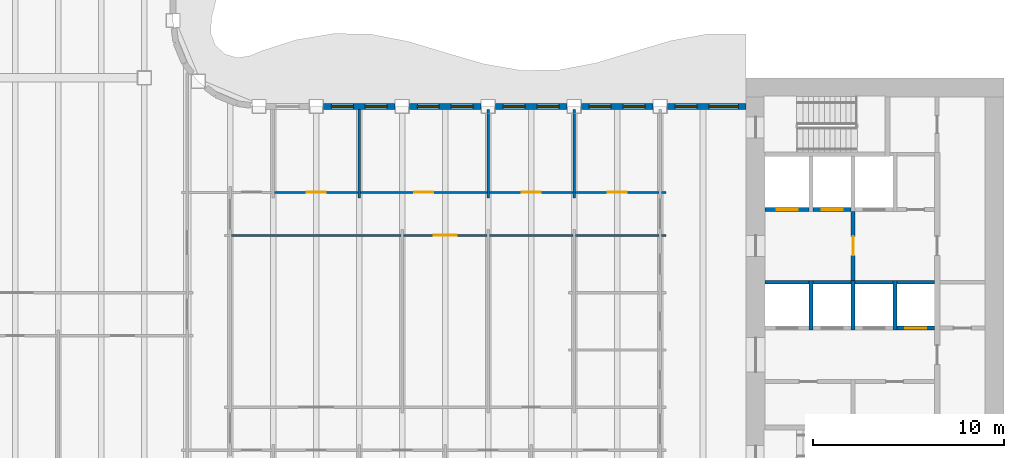
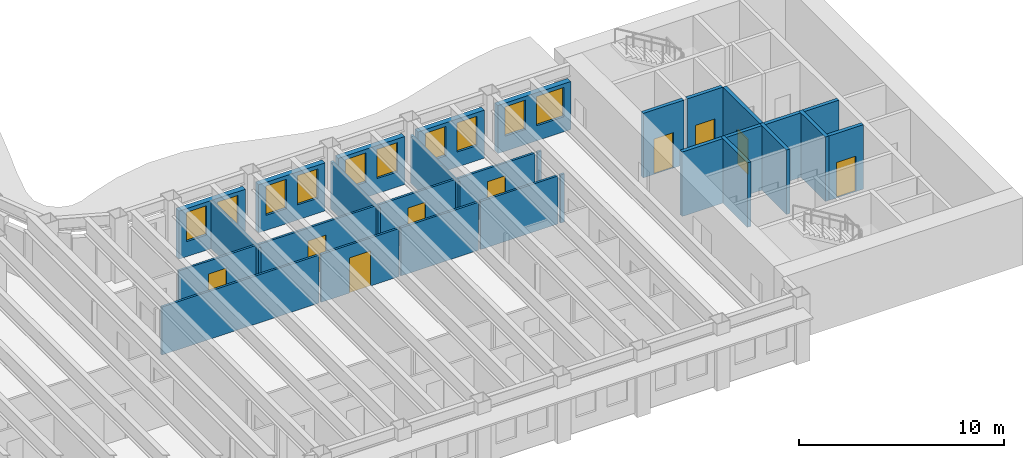
# One storey, part 7 of 17: 29 walls, 10 windows, 9 doors, 19 openings.
"""IFC4 building model written with IfcOpenShell, lengths in metres."""

from ifc_helpers import new_model, si_unit, direction, frame, frame_2d, origin, place, context, subcontext, project, spatial, rectangle, extrude, material, layer, layer_set, type_object, element, fill, save


model = new_model("IFC4")

# Units and contexts
model_context = context("Model", 3, precision=1e-05, world=origin(), true_north=direction((0.0, 1.0)))
body_context = subcontext(model_context, "Body", "Model", "MODEL_VIEW")
ifc_project = project(units=[si_unit("LENGTHUNIT", "METRE"), si_unit("AREAUNIT", "SQUARE_METRE"), si_unit("VOLUMEUNIT", "CUBIC_METRE"), si_unit("PLANEANGLEUNIT", "RADIAN"), si_unit("MASSUNIT", "GRAM", prefix="KILO")], contexts=[model_context])

# Site, building, storey
site_placement = place(None, origin())
site = spatial("IfcSite", under=ifc_project, at=site_placement, CompositionType="ELEMENT")
building_placement = place(site_placement, origin())
building = spatial("IfcBuilding", under=site, at=building_placement, Name="Sennacour Bend Tower", CompositionType="ELEMENT")
storey_placement = place(building_placement, frame((0.0, 0.0, 203.0)))
storey = spatial("IfcBuildingStorey", under=building, at=storey_placement, Name="L46", CompositionType="ELEMENT", Elevation=203.0)

# Walls
ifc_material_1 = material(Name="Plasterboard partition on steel studs", Category="steel")
ifc_layer_1 = layer(ifc_material_1, 0.1201171875, Name="Plasterboard partition on steel studs", Category="steel")
ifc_layer_set_1 = layer_set([ifc_layer_1], Name="Plasterboard partition on steel studs")
wall_type_1 = type_object("IfcWallType", Name="Partition 120", PredefinedType="PARTITIONING", material=ifc_layer_set_1)
for number, where, z_axis, x_axis, name in (
    (1, (33.75, 16.199951171875, 0.0), (0.0, 0.0, 1.0), (0.0, 1.0, 0.0), "P-L46-W032a"),
    (2, (40.5, 16.199951171875, 0.0), (0.0, 0.0, 1.0), (0.0, 1.0, 0.0), "P-L46-W036a"),
    (3, (45.0, 16.199951171875, 0.0), (0.0, 0.0, 1.0), (0.0, 1.0, 0.0), "P-L46-W039a"),
):
    element("IfcWall", number, at=place(storey_placement, frame(where, z_axis=z_axis, x_axis=x_axis)), inside=storey, type_object=wall_type_1, Name=name, PredefinedType="PARTITIONING", context=body_context, shape_type="SweptSolid", body=[
        extrude(rectangle(XDim=4.650146484375, YDim=0.1201171875, at=frame_2d((2.3251953125, 0.0))), origin(), (0.0, 0.0, 1.0), 2.8701171875),
    ])
wall_1_placement = place(storey_placement, frame((27.06005859375, 14.25, 0.0), z_axis=(0.0, 0.0, 1.0), x_axis=(1.0, 0.0, 0.0)))
element("IfcWall", 4, at=wall_1_placement, inside=storey, type_object=wall_type_1, Name="P-L46-W073ab", PredefinedType="PARTITIONING", context=body_context, shape_type="SweptSolid", body=[
    extrude(rectangle(XDim=8.8798828125, YDim=0.1201171875, at=frame_2d((4.43994140625, 0.0))), origin(), (0.0, 0.0, 1.0), 2.8701171875),
])

# Wall, opening, door
wall_2_placement = place(storey_placement, frame((36.06005859375, 14.25, 0.0), z_axis=(0.0, 0.0, 1.0), x_axis=(1.0, 0.0, 0.0)))
wall_2 = element("IfcWall", 5, at=wall_2_placement, inside=storey, type_object=wall_type_1, Name="P-L46-W073ac", PredefinedType="PARTITIONING", context=body_context, shape_type="SweptSolid", body=[
    extrude(rectangle(XDim=4.3798828125, YDim=0.1201171875, at=frame_2d((2.18994140625, 0.0))), origin(), (0.0, 0.0, 1.0), 2.8701171875),
])
opening_1_placement = place(wall_2_placement, frame((1.58984375, 0.0, 0.0)))
opening_1 = element("IfcOpeningElement", 6, at=opening_1_placement, cuts=wall_2, Name="Opening MD", PredefinedType="OPENING", context=body_context, shape_type="SweptSolid", body=[
    extrude(rectangle(XDim=1.199951171875, YDim=2.10009765625, at=frame_2d((0.60009765625, 1.050048828125))), frame((0.0, 0.070068359375, 0.0), z_axis=(0.0, -1.0, 0.0), x_axis=(1.0, 0.0, 0.0)), (0.0, 0.0, 1.0), 0.14013671875),
])
ifc_material_2 = material(Name="Timber", Category="wood")
door_type_1 = type_object("IfcDoorType", Name="DR-MEETING-1200", OperationType="NOTDEFINED", PredefinedType="DOOR", material=ifc_material_2)
door_1_placement = place(opening_1_placement, origin())
door_1 = element("IfcDoor", 7, at=door_1_placement, inside=storey, type_object=door_type_1, Name="Door", OperationType="SINGLE_SWING_LEFT", OverallHeight=2.10009765625, OverallWidth=1.199951171875, PredefinedType="DOOR", context=body_context, shape_type="SweptSolid", body=[
    extrude(rectangle(XDim=1.199951171875, YDim=2.10009765625, at=frame_2d((0.60009765625, 1.050048828125))), frame((0.0, 0.02490234375, 0.0), z_axis=(0.0, -1.0, 0.0), x_axis=(1.0, 0.0, 0.0)), (0.0, 0.0, 1.0), 0.050048828125),
])
fill(opening_1, door_1)

# Walls
for number, where, z_axis, x_axis, name in (
    (8, (40.56005859375, 14.25, 0.0), (0.0, 0.0, 1.0), (1.0, 0.0, 0.0), "P-L46-W073ad"),
    (9, (45.06005859375, 14.25, 0.0), (0.0, 0.0, 1.0), (1.0, 0.0, 0.0), "P-L46-W073ae"),
):
    element("IfcWall", number, at=place(storey_placement, frame(where, z_axis=z_axis, x_axis=x_axis)), inside=storey, type_object=wall_type_1, Name=name, PredefinedType="PARTITIONING", context=body_context, shape_type="SweptSolid", body=[
        extrude(rectangle(XDim=4.3798828125, YDim=0.1201171875, at=frame_2d((2.18994140625, 0.0))), origin(), (0.0, 0.0, 1.0), 2.8701171875),
    ])
wall_3_placement = place(storey_placement, frame((49.56005859375, 14.25, 0.0), z_axis=(0.0, 0.0, 1.0), x_axis=(1.0, 0.0, 0.0)))
element("IfcWall", 10, at=wall_3_placement, inside=storey, type_object=wall_type_1, Name="P-L46-W073af", PredefinedType="PARTITIONING", context=body_context, shape_type="SweptSolid", body=[
    extrude(rectangle(XDim=0.239990234375, YDim=0.1201171875, at=frame_2d((0.1201171875, 0.0))), origin(), (0.0, 0.0, 1.0), 2.8701171875),
])

# Wall, opening, door
wall_4_placement = place(storey_placement, frame((29.31005859375, 16.5, 0.0), z_axis=(0.0, 0.0, 1.0), x_axis=(1.0, 0.0, 0.0)))
wall_4 = element("IfcWall", 11, at=wall_4_placement, inside=storey, type_object=wall_type_1, Name="P-L46-W077ad", PredefinedType="PARTITIONING", context=body_context, shape_type="SweptSolid", body=[
    extrude(rectangle(XDim=4.3798828125, YDim=0.1201171875, at=frame_2d((2.18994140625, 0.0))), origin(), (0.0, 0.0, 1.0), 2.8701171875),
])
opening_2_placement = place(wall_4_placement, frame((1.68994140625, 0.0, 0.0)))
opening_2 = element("IfcOpeningElement", 12, at=opening_2_placement, cuts=wall_4, Name="Opening OD2", PredefinedType="OPENING", context=body_context, shape_type="SweptSolid", body=[
    extrude(rectangle(XDim=1.0, YDim=2.10009765625, at=frame_2d((0.5, 1.050048828125))), frame((0.0, 0.070068359375, 0.0), z_axis=(0.0, -1.0, 0.0), x_axis=(1.0, 0.0, 0.0)), (0.0, 0.0, 1.0), 0.14013671875),
])
door_type_2 = type_object("IfcDoorType", Name="DR-OFFICE-1000", OperationType="NOTDEFINED", PredefinedType="DOOR", material=ifc_material_2)
door_2_placement = place(opening_2_placement, origin())
door_2 = element("IfcDoor", 13, at=door_2_placement, inside=storey, type_object=door_type_2, Name="Door", OperationType="SINGLE_SWING_LEFT", OverallHeight=2.10009765625, OverallWidth=1.0, PredefinedType="DOOR", context=body_context, shape_type="SweptSolid", body=[
    extrude(rectangle(XDim=1.0, YDim=2.10009765625, at=frame_2d((0.5, 1.050048828125))), frame((0.0, 0.02490234375, 0.0), z_axis=(0.0, -1.0, 0.0), x_axis=(1.0, 0.0, 0.0)), (0.0, 0.0, 1.0), 0.050048828125),
])
fill(opening_2, door_2)

wall_5_placement = place(storey_placement, frame((33.81005859375, 16.5, 0.0), z_axis=(0.0, 0.0, 1.0), x_axis=(1.0, 0.0, 0.0)))
wall_5 = element("IfcWall", 14, at=wall_5_placement, inside=storey, type_object=wall_type_1, Name="P-L46-W077ae", PredefinedType="PARTITIONING", context=body_context, shape_type="SweptSolid", body=[
    extrude(rectangle(XDim=6.6298828125, YDim=0.1201171875, at=frame_2d((3.31494140625, 0.0))), origin(), (0.0, 0.0, 1.0), 2.8701171875),
])
opening_3_placement = place(wall_5_placement, frame((2.81494140625, 0.0, 0.0)))
opening_3 = element("IfcOpeningElement", 15, at=opening_3_placement, cuts=wall_5, Name="Opening OD2", PredefinedType="OPENING", context=body_context, shape_type="SweptSolid", body=[
    extrude(rectangle(XDim=1.0, YDim=2.10009765625, at=frame_2d((0.5, 1.050048828125))), frame((0.0, 0.070068359375, 0.0), z_axis=(0.0, -1.0, 0.0), x_axis=(1.0, 0.0, 0.0)), (0.0, 0.0, 1.0), 0.14013671875),
])
door_3_placement = place(opening_3_placement, origin())
door_3 = element("IfcDoor", 16, at=door_3_placement, inside=storey, type_object=door_type_2, Name="Door", OperationType="SINGLE_SWING_LEFT", OverallHeight=2.10009765625, OverallWidth=1.0, PredefinedType="DOOR", context=body_context, shape_type="SweptSolid", body=[
    extrude(rectangle(XDim=1.0, YDim=2.10009765625, at=frame_2d((0.5, 1.050048828125))), frame((0.0, 0.02490234375, 0.0), z_axis=(0.0, -1.0, 0.0), x_axis=(1.0, 0.0, 0.0)), (0.0, 0.0, 1.0), 0.050048828125),
])
fill(opening_3, door_3)

wall_6_placement = place(storey_placement, frame((40.56005859375, 16.5, 0.0), z_axis=(0.0, 0.0, 1.0), x_axis=(1.0, 0.0, 0.0)))
wall_6 = element("IfcWall", 17, at=wall_6_placement, inside=storey, type_object=wall_type_1, Name="P-L46-W077af", PredefinedType="PARTITIONING", context=body_context, shape_type="SweptSolid", body=[
    extrude(rectangle(XDim=4.3798828125, YDim=0.1201171875, at=frame_2d((2.18994140625, 0.0))), origin(), (0.0, 0.0, 1.0), 2.8701171875),
])
opening_4_placement = place(wall_6_placement, frame((1.68994140625, 0.0, 0.0)))
opening_4 = element("IfcOpeningElement", 18, at=opening_4_placement, cuts=wall_6, Name="Opening OD2", PredefinedType="OPENING", context=body_context, shape_type="SweptSolid", body=[
    extrude(rectangle(XDim=1.0, YDim=2.10009765625, at=frame_2d((0.5, 1.050048828125))), frame((0.0, 0.070068359375, 0.0), z_axis=(0.0, -1.0, 0.0), x_axis=(1.0, 0.0, 0.0)), (0.0, 0.0, 1.0), 0.14013671875),
])
door_4_placement = place(opening_4_placement, origin())
door_4 = element("IfcDoor", 19, at=door_4_placement, inside=storey, type_object=door_type_2, Name="Door", OperationType="SINGLE_SWING_LEFT", OverallHeight=2.10009765625, OverallWidth=1.0, PredefinedType="DOOR", context=body_context, shape_type="SweptSolid", body=[
    extrude(rectangle(XDim=1.0, YDim=2.10009765625, at=frame_2d((0.5, 1.050048828125))), frame((0.0, 0.02490234375, 0.0), z_axis=(0.0, -1.0, 0.0), x_axis=(1.0, 0.0, 0.0)), (0.0, 0.0, 1.0), 0.050048828125),
])
fill(opening_4, door_4)

wall_7_placement = place(storey_placement, frame((45.06005859375, 16.5, 0.0), z_axis=(0.0, 0.0, 1.0), x_axis=(1.0, 0.0, 0.0)))
wall_7 = element("IfcWall", 20, at=wall_7_placement, inside=storey, type_object=wall_type_1, Name="P-L46-W077ag", PredefinedType="PARTITIONING", context=body_context, shape_type="SweptSolid", body=[
    extrude(rectangle(XDim=4.3798828125, YDim=0.1201171875, at=frame_2d((2.18994140625, 0.0))), origin(), (0.0, 0.0, 1.0), 2.8701171875),
])
opening_5_placement = place(wall_7_placement, frame((1.68994140625, 0.0, 0.0)))
opening_5 = element("IfcOpeningElement", 21, at=opening_5_placement, cuts=wall_7, Name="Opening MD2", PredefinedType="OPENING", context=body_context, shape_type="SweptSolid", body=[
    extrude(rectangle(XDim=1.0, YDim=2.10009765625, at=frame_2d((0.5, 1.050048828125))), frame((0.0, 0.070068359375, 0.0), z_axis=(0.0, -1.0, 0.0), x_axis=(1.0, 0.0, 0.0)), (0.0, 0.0, 1.0), 0.14013671875),
])
door_type_3 = type_object("IfcDoorType", Name="DR-MEETING-1000", OperationType="NOTDEFINED", PredefinedType="DOOR", material=ifc_material_2)
door_5_placement = place(opening_5_placement, origin())
door_5 = element("IfcDoor", 22, at=door_5_placement, inside=storey, type_object=door_type_3, Name="Door", OperationType="SINGLE_SWING_LEFT", OverallHeight=2.10009765625, OverallWidth=1.0, PredefinedType="DOOR", context=body_context, shape_type="SweptSolid", body=[
    extrude(rectangle(XDim=1.0, YDim=2.10009765625, at=frame_2d((0.5, 1.050048828125))), frame((0.0, 0.02490234375, 0.0), z_axis=(0.0, -1.0, 0.0), x_axis=(1.0, 0.0, 0.0)), (0.0, 0.0, 1.0), 0.050048828125),
])
fill(opening_5, door_5)

# Wall
wall_8_placement = place(storey_placement, frame((49.56005859375, 16.5, 0.0), z_axis=(0.0, 0.0, 1.0), x_axis=(1.0, 0.0, 0.0)))
element("IfcWall", 23, at=wall_8_placement, inside=storey, type_object=wall_type_1, Name="P-L46-W077ah", PredefinedType="PARTITIONING", context=body_context, shape_type="SweptSolid", body=[
    extrude(rectangle(XDim=0.239990234375, YDim=0.1201171875, at=frame_2d((0.1201171875, 0.0))), origin(), (0.0, 0.0, 1.0), 2.8701171875),
])

# Wall, opening, door
ifc_material_3 = material(Name="Fire-rated plasterboard partition on steel studs", Category="steel")
ifc_layer_2 = layer(ifc_material_3, 0.199951171875, Name="Fire-rated plasterboard partition on steel studs", Category="steel")
ifc_layer_set_2 = layer_set([ifc_layer_2], Name="Fire-rated plasterboard partition on steel studs")
wall_type_2 = type_object("IfcWallType", Name="Rated partition 200 EI 90", PredefinedType="PARTITIONING", material=ifc_layer_set_2)
wall_9_placement = place(storey_placement, frame((59.60009765625, 11.89990234375, 0.0), z_axis=(0.0, 0.0, 1.0), x_axis=(0.0, 1.0, 0.0)))
wall_9 = element("IfcWall", 24, at=wall_9_placement, inside=storey, type_object=wall_type_2, Name="P-L46-W046", PredefinedType="PARTITIONING", context=body_context, shape_type="SweptSolid", body=[
    extrude(rectangle(XDim=3.60009765625, YDim=0.199951171875, at=frame_2d((1.800048828125, 0.0))), origin(), (0.0, 0.0, 1.0), 3.85009765625),
])
opening_6_placement = place(wall_9_placement, frame((1.300048828125, 0.0, 0.0)))
opening_6 = element("IfcOpeningElement", 25, at=opening_6_placement, cuts=wall_9, Name="Opening FD2", PredefinedType="OPENING", context=body_context, shape_type="SweptSolid", body=[
    extrude(rectangle(XDim=1.0, YDim=2.10009765625, at=frame_2d((0.5, 1.050048828125))), frame((0.0, 0.10986328125, 0.0), z_axis=(0.0, -1.0, 0.0), x_axis=(1.0, 0.0, 0.0)), (0.0, 0.0, 1.0), 0.219970703125),
])
ifc_material_4 = material(Name="Painted steel", Category="steel")
door_type_4 = type_object("IfcDoorType", Name="DR-FFL-1000", OperationType="NOTDEFINED", PredefinedType="DOOR", material=ifc_material_4)
door_6_placement = place(opening_6_placement, origin())
door_6 = element("IfcDoor", 26, at=door_6_placement, inside=storey, type_object=door_type_4, Name="Door", OperationType="SINGLE_SWING_LEFT", OverallHeight=2.10009765625, OverallWidth=1.0, PredefinedType="DOOR", context=body_context, shape_type="SweptSolid", body=[
    extrude(rectangle(XDim=1.0, YDim=2.10009765625, at=frame_2d((0.5, 1.050048828125))), frame((0.0, 0.02490234375, 0.0), z_axis=(0.0, -1.0, 0.0), x_axis=(1.0, 0.0, 0.0)), (0.0, 0.0, 1.0), 0.050048828125),
])
fill(opening_6, door_6)

# Wall, openings, windows
ifc_material_5 = material(Name="Warm limestone cladding", Category="masonry")
ifc_layer_3 = layer(ifc_material_5, 0.050048828125, Name="Warm limestone cladding", Category="masonry")
ifc_material_6 = material(Name="Precast concrete C40/50", Category="concrete")
ifc_layer_4 = layer(ifc_material_6, 0.25, Name="Precast concrete C40/50", Category="concrete")
ifc_layer_set_3 = layer_set([ifc_layer_3, ifc_layer_4], Name="Precast concrete C40/50 with limestone cladding")
wall_type_3 = type_object("IfcWallType", Name="STONE-CLAD PRECAST SPANDREL 300", PredefinedType="STANDARD", material=ifc_layer_set_3)
wall_10_placement = place(storey_placement, frame((54.0, 21.0, 0.0), z_axis=(0.0, 0.0, 1.0), x_axis=(-1.0, 0.0, 0.0)))
wall_10 = element("IfcWall", 27, at=wall_10_placement, inside=storey, type_object=wall_type_3, Name="Stone spandrel and pier wall L46 06.00", PredefinedType="STANDARD", context=body_context, shape_type="SweptSolid", body=[
    extrude(rectangle(XDim=4.125, YDim=0.300048828125, at=frame_2d((2.0625, 0.0))), origin(), (0.0, 0.0, 1.0), 2.8701171875),
])
opening_7_placement = place(wall_10_placement, frame((0.39990234375, 0.0, 0.89990234375)))
opening_7 = element("IfcOpeningElement", 28, at=opening_7_placement, cuts=wall_10, Name="Opening W12", PredefinedType="OPENING", context=body_context, shape_type="SweptSolid", body=[
    extrude(rectangle(XDim=1.550048828125, YDim=1.75, at=frame_2d((0.77490234375, 0.875))), frame((0.0, 0.16015625, 0.0), z_axis=(0.0, -1.0, 0.0), x_axis=(1.0, 0.0, 0.0)), (0.0, 0.0, 1.0), 0.320068359375),
])
opening_8_placement = place(wall_10_placement, frame((2.5625, 0.0, 0.89990234375)))
opening_8 = element("IfcOpeningElement", 29, at=opening_8_placement, cuts=wall_10, Name="Opening W23", PredefinedType="OPENING", context=body_context, shape_type="SweptSolid", body=[
    extrude(rectangle(XDim=1.14990234375, YDim=1.75, at=frame_2d((0.574951171875, 0.875))), frame((0.0, 0.16015625, 0.0), z_axis=(0.0, -1.0, 0.0), x_axis=(1.0, 0.0, 0.0)), (0.0, 0.0, 1.0), 0.320068359375),
])
ifc_material_7 = material(Name="Clear low-emissivity glass", Category="glass")
window_type_1 = type_object("IfcWindowType", Name="WIN-RIBBON-1150x1750", PartitioningType="SINGLE_PANEL", PredefinedType="WINDOW", material=ifc_material_7)
window_1_placement = place(opening_8_placement, origin())
window_1 = element("IfcWindow", 30, at=window_1_placement, inside=storey, type_object=window_type_1, Name="Ribbon window L46 06.00.1", OverallHeight=1.75, OverallWidth=1.14990234375, PartitioningType="SINGLE_PANEL", PredefinedType="WINDOW", context=body_context, shape_type="SweptSolid", body=[
    extrude(rectangle(XDim=1.14990234375, YDim=1.75, at=frame_2d((0.574951171875, 0.875))), frame((0.0, 0.030029296875, 0.0), z_axis=(0.0, -1.0, 0.0), x_axis=(1.0, 0.0, 0.0)), (0.0, 0.0, 1.0), 0.06005859375),
])
fill(opening_8, window_1)
window_type_2 = type_object("IfcWindowType", Name="WIN-RIBBON-1550x1750", PartitioningType="SINGLE_PANEL", PredefinedType="WINDOW", material=ifc_material_7)
window_2_placement = place(opening_7_placement, origin())
window_2 = element("IfcWindow", 31, at=window_2_placement, inside=storey, type_object=window_type_2, Name="Ribbon window L46 06.00.0", OverallHeight=1.75, OverallWidth=1.550048828125, PartitioningType="SINGLE_PANEL", PredefinedType="WINDOW", context=body_context, shape_type="SweptSolid", body=[
    extrude(rectangle(XDim=1.550048828125, YDim=1.75, at=frame_2d((0.77490234375, 0.875))), frame((0.0, 0.030029296875, 0.0), z_axis=(0.0, -1.0, 0.0), x_axis=(1.0, 0.0, 0.0)), (0.0, 0.0, 1.0), 0.06005859375),
])
fill(opening_7, window_2)

wall_11_placement = place(storey_placement, frame((49.125, 21.0, 0.0), z_axis=(0.0, 0.0, 1.0), x_axis=(-1.0, 0.0, 0.0)))
wall_11 = element("IfcWall", 32, at=wall_11_placement, inside=storey, type_object=wall_type_3, Name="Stone spandrel and pier wall L46 06.01", PredefinedType="STANDARD", context=body_context, shape_type="SweptSolid", body=[
    extrude(rectangle(XDim=3.75, YDim=0.300048828125, at=frame_2d((1.875, 0.0))), origin(), (0.0, 0.0, 1.0), 2.8701171875),
])
opening_9_placement = place(wall_11_placement, frame((0.41259765625, 0.0, 0.89990234375)))
opening_9 = element("IfcOpeningElement", 33, at=opening_9_placement, cuts=wall_11, Name="Opening W23", PredefinedType="OPENING", context=body_context, shape_type="SweptSolid", body=[
    extrude(rectangle(XDim=1.14990234375, YDim=1.75, at=frame_2d((0.574951171875, 0.875))), frame((0.0, 0.16015625, 0.0), z_axis=(0.0, -1.0, 0.0), x_axis=(1.0, 0.0, 0.0)), (0.0, 0.0, 1.0), 0.320068359375),
])
opening_10_placement = place(wall_11_placement, frame((2.1875, 0.0, 0.89990234375)))
opening_10 = element("IfcOpeningElement", 34, at=opening_10_placement, cuts=wall_11, Name="Opening W23", PredefinedType="OPENING", context=body_context, shape_type="SweptSolid", body=[
    extrude(rectangle(XDim=1.14990234375, YDim=1.75, at=frame_2d((0.574951171875, 0.875))), frame((0.0, 0.16015625, 0.0), z_axis=(0.0, -1.0, 0.0), x_axis=(1.0, 0.0, 0.0)), (0.0, 0.0, 1.0), 0.320068359375),
])
window_3_placement = place(opening_9_placement, origin())
window_3 = element("IfcWindow", 35, at=window_3_placement, inside=storey, type_object=window_type_1, Name="Ribbon window L46 06.01.0", OverallHeight=1.75, OverallWidth=1.14990234375, PartitioningType="SINGLE_PANEL", PredefinedType="WINDOW", context=body_context, shape_type="SweptSolid", body=[
    extrude(rectangle(XDim=1.14990234375, YDim=1.75, at=frame_2d((0.574951171875, 0.875))), frame((0.0, 0.030029296875, 0.0), z_axis=(0.0, -1.0, 0.0), x_axis=(1.0, 0.0, 0.0)), (0.0, 0.0, 1.0), 0.06005859375),
])
fill(opening_9, window_3)
window_4_placement = place(opening_10_placement, origin())
window_4 = element("IfcWindow", 36, at=window_4_placement, inside=storey, type_object=window_type_1, Name="Ribbon window L46 06.01.1", OverallHeight=1.75, OverallWidth=1.14990234375, PartitioningType="SINGLE_PANEL", PredefinedType="WINDOW", context=body_context, shape_type="SweptSolid", body=[
    extrude(rectangle(XDim=1.14990234375, YDim=1.75, at=frame_2d((0.574951171875, 0.875))), frame((0.0, 0.030029296875, 0.0), z_axis=(0.0, -1.0, 0.0), x_axis=(1.0, 0.0, 0.0)), (0.0, 0.0, 1.0), 0.06005859375),
])
fill(opening_10, window_4)

wall_12_placement = place(storey_placement, frame((44.625, 21.0, 0.0), z_axis=(0.0, 0.0, 1.0), x_axis=(-1.0, 0.0, 0.0)))
wall_12 = element("IfcWall", 37, at=wall_12_placement, inside=storey, type_object=wall_type_3, Name="Stone spandrel and pier wall L46 06.02", PredefinedType="STANDARD", context=body_context, shape_type="SweptSolid", body=[
    extrude(rectangle(XDim=3.75, YDim=0.300048828125, at=frame_2d((1.875, 0.0))), origin(), (0.0, 0.0, 1.0), 2.8701171875),
])
opening_11_placement = place(wall_12_placement, frame((0.41259765625, 0.0, 0.89990234375)))
opening_11 = element("IfcOpeningElement", 38, at=opening_11_placement, cuts=wall_12, Name="Opening W23", PredefinedType="OPENING", context=body_context, shape_type="SweptSolid", body=[
    extrude(rectangle(XDim=1.14990234375, YDim=1.75, at=frame_2d((0.574951171875, 0.875))), frame((0.0, 0.16015625, 0.0), z_axis=(0.0, -1.0, 0.0), x_axis=(1.0, 0.0, 0.0)), (0.0, 0.0, 1.0), 0.320068359375),
])
opening_12_placement = place(wall_12_placement, frame((2.1875, 0.0, 0.89990234375)))
opening_12 = element("IfcOpeningElement", 39, at=opening_12_placement, cuts=wall_12, Name="Opening W23", PredefinedType="OPENING", context=body_context, shape_type="SweptSolid", body=[
    extrude(rectangle(XDim=1.14990234375, YDim=1.75, at=frame_2d((0.574951171875, 0.875))), frame((0.0, 0.16015625, 0.0), z_axis=(0.0, -1.0, 0.0), x_axis=(1.0, 0.0, 0.0)), (0.0, 0.0, 1.0), 0.320068359375),
])
window_5_placement = place(opening_11_placement, origin())
window_5 = element("IfcWindow", 40, at=window_5_placement, inside=storey, type_object=window_type_1, Name="Ribbon window L46 06.02.0", OverallHeight=1.75, OverallWidth=1.14990234375, PartitioningType="SINGLE_PANEL", PredefinedType="WINDOW", context=body_context, shape_type="SweptSolid", body=[
    extrude(rectangle(XDim=1.14990234375, YDim=1.75, at=frame_2d((0.574951171875, 0.875))), frame((0.0, 0.030029296875, 0.0), z_axis=(0.0, -1.0, 0.0), x_axis=(1.0, 0.0, 0.0)), (0.0, 0.0, 1.0), 0.06005859375),
])
fill(opening_11, window_5)
window_6_placement = place(opening_12_placement, origin())
window_6 = element("IfcWindow", 41, at=window_6_placement, inside=storey, type_object=window_type_1, Name="Ribbon window L46 06.02.1", OverallHeight=1.75, OverallWidth=1.14990234375, PartitioningType="SINGLE_PANEL", PredefinedType="WINDOW", context=body_context, shape_type="SweptSolid", body=[
    extrude(rectangle(XDim=1.14990234375, YDim=1.75, at=frame_2d((0.574951171875, 0.875))), frame((0.0, 0.030029296875, 0.0), z_axis=(0.0, -1.0, 0.0), x_axis=(1.0, 0.0, 0.0)), (0.0, 0.0, 1.0), 0.06005859375),
])
fill(opening_12, window_6)

wall_13_placement = place(storey_placement, frame((40.125, 21.0, 0.0), z_axis=(0.0, 0.0, 1.0), x_axis=(-1.0, 0.0, 0.0)))
wall_13 = element("IfcWall", 42, at=wall_13_placement, inside=storey, type_object=wall_type_3, Name="Stone spandrel and pier wall L46 06.03", PredefinedType="STANDARD", context=body_context, shape_type="SweptSolid", body=[
    extrude(rectangle(XDim=3.75, YDim=0.300048828125, at=frame_2d((1.875, 0.0))), origin(), (0.0, 0.0, 1.0), 2.8701171875),
])
opening_13_placement = place(wall_13_placement, frame((0.41259765625, 0.0, 0.89990234375)))
opening_13 = element("IfcOpeningElement", 43, at=opening_13_placement, cuts=wall_13, Name="Opening W23", PredefinedType="OPENING", context=body_context, shape_type="SweptSolid", body=[
    extrude(rectangle(XDim=1.14990234375, YDim=1.75, at=frame_2d((0.574951171875, 0.875))), frame((0.0, 0.16015625, 0.0), z_axis=(0.0, -1.0, 0.0), x_axis=(1.0, 0.0, 0.0)), (0.0, 0.0, 1.0), 0.320068359375),
])
opening_14_placement = place(wall_13_placement, frame((2.1875, 0.0, 0.89990234375)))
opening_14 = element("IfcOpeningElement", 44, at=opening_14_placement, cuts=wall_13, Name="Opening W23", PredefinedType="OPENING", context=body_context, shape_type="SweptSolid", body=[
    extrude(rectangle(XDim=1.14990234375, YDim=1.75, at=frame_2d((0.574951171875, 0.875))), frame((0.0, 0.16015625, 0.0), z_axis=(0.0, -1.0, 0.0), x_axis=(1.0, 0.0, 0.0)), (0.0, 0.0, 1.0), 0.320068359375),
])
window_7_placement = place(opening_13_placement, origin())
window_7 = element("IfcWindow", 45, at=window_7_placement, inside=storey, type_object=window_type_1, Name="Ribbon window L46 06.03.0", OverallHeight=1.75, OverallWidth=1.14990234375, PartitioningType="SINGLE_PANEL", PredefinedType="WINDOW", context=body_context, shape_type="SweptSolid", body=[
    extrude(rectangle(XDim=1.14990234375, YDim=1.75, at=frame_2d((0.574951171875, 0.875))), frame((0.0, 0.030029296875, 0.0), z_axis=(0.0, -1.0, 0.0), x_axis=(1.0, 0.0, 0.0)), (0.0, 0.0, 1.0), 0.06005859375),
])
fill(opening_13, window_7)
window_8_placement = place(opening_14_placement, origin())
window_8 = element("IfcWindow", 46, at=window_8_placement, inside=storey, type_object=window_type_1, Name="Ribbon window L46 06.03.1", OverallHeight=1.75, OverallWidth=1.14990234375, PartitioningType="SINGLE_PANEL", PredefinedType="WINDOW", context=body_context, shape_type="SweptSolid", body=[
    extrude(rectangle(XDim=1.14990234375, YDim=1.75, at=frame_2d((0.574951171875, 0.875))), frame((0.0, 0.030029296875, 0.0), z_axis=(0.0, -1.0, 0.0), x_axis=(1.0, 0.0, 0.0)), (0.0, 0.0, 1.0), 0.06005859375),
])
fill(opening_14, window_8)

wall_14_placement = place(storey_placement, frame((35.625, 21.0, 0.0), z_axis=(0.0, 0.0, 1.0), x_axis=(-1.0, 0.0, 0.0)))
wall_14 = element("IfcWall", 47, at=wall_14_placement, inside=storey, type_object=wall_type_3, Name="Stone spandrel and pier wall L46 06.04", PredefinedType="STANDARD", context=body_context, shape_type="SweptSolid", body=[
    extrude(rectangle(XDim=3.75, YDim=0.300048828125, at=frame_2d((1.875, 0.0))), origin(), (0.0, 0.0, 1.0), 2.8701171875),
])
opening_15_placement = place(wall_14_placement, frame((0.41259765625, 0.0, 0.89990234375)))
opening_15 = element("IfcOpeningElement", 48, at=opening_15_placement, cuts=wall_14, Name="Opening W23", PredefinedType="OPENING", context=body_context, shape_type="SweptSolid", body=[
    extrude(rectangle(XDim=1.14990234375, YDim=1.75, at=frame_2d((0.574951171875, 0.875))), frame((0.0, 0.16015625, 0.0), z_axis=(0.0, -1.0, 0.0), x_axis=(1.0, 0.0, 0.0)), (0.0, 0.0, 1.0), 0.320068359375),
])
opening_16_placement = place(wall_14_placement, frame((2.1875, 0.0, 0.89990234375)))
opening_16 = element("IfcOpeningElement", 49, at=opening_16_placement, cuts=wall_14, Name="Opening W23", PredefinedType="OPENING", context=body_context, shape_type="SweptSolid", body=[
    extrude(rectangle(XDim=1.14990234375, YDim=1.75, at=frame_2d((0.574951171875, 0.875))), frame((0.0, 0.16015625, 0.0), z_axis=(0.0, -1.0, 0.0), x_axis=(1.0, 0.0, 0.0)), (0.0, 0.0, 1.0), 0.320068359375),
])
window_9_placement = place(opening_15_placement, origin())
window_9 = element("IfcWindow", 50, at=window_9_placement, inside=storey, type_object=window_type_1, Name="Ribbon window L46 06.04.0", OverallHeight=1.75, OverallWidth=1.14990234375, PartitioningType="SINGLE_PANEL", PredefinedType="WINDOW", context=body_context, shape_type="SweptSolid", body=[
    extrude(rectangle(XDim=1.14990234375, YDim=1.75, at=frame_2d((0.574951171875, 0.875))), frame((0.0, 0.030029296875, 0.0), z_axis=(0.0, -1.0, 0.0), x_axis=(1.0, 0.0, 0.0)), (0.0, 0.0, 1.0), 0.06005859375),
])
fill(opening_15, window_9)
window_10_placement = place(opening_16_placement, origin())
window_10 = element("IfcWindow", 51, at=window_10_placement, inside=storey, type_object=window_type_1, Name="Ribbon window L46 06.04.1", OverallHeight=1.75, OverallWidth=1.14990234375, PartitioningType="SINGLE_PANEL", PredefinedType="WINDOW", context=body_context, shape_type="SweptSolid", body=[
    extrude(rectangle(XDim=1.14990234375, YDim=1.75, at=frame_2d((0.574951171875, 0.875))), frame((0.0, 0.030029296875, 0.0), z_axis=(0.0, -1.0, 0.0), x_axis=(1.0, 0.0, 0.0)), (0.0, 0.0, 1.0), 0.06005859375),
])
fill(opening_16, window_10)

# Walls
ifc_material_8 = material(Name="Concrete C50/60", Category="concrete")
ifc_layer_5 = layer(ifc_material_8, 0.199951171875, Name="Concrete C50/60", Category="concrete")
ifc_layer_set_4 = layer_set([ifc_layer_5], Name="Concrete C50/60")
wall_type_4 = type_object("IfcWallType", Name="Shaft wall 200", PredefinedType="SOLIDWALL", material=ifc_layer_set_4)
for number, where, z_axis, x_axis, name in (
    (52, (57.39990234375, 9.300048828125, 0.0), (0.0, 0.0, 1.0), (0.0, 1.0, 0.0), "P-L46-W042"),
    (53, (59.60009765625, 9.300048828125, 0.0), (0.0, 0.0, 1.0), (0.0, 1.0, 0.0), "P-L46-W045"),
    (54, (61.800048828125, 9.300048828125, 0.0), (0.0, 0.0, 1.0), (0.0, 1.0, 0.0), "P-L46-W050"),
):
    element("IfcWall", number, at=place(storey_placement, frame(where, z_axis=z_axis, x_axis=x_axis)), inside=storey, type_object=wall_type_4, Name=name, PredefinedType="SOLIDWALL", context=body_context, shape_type="SweptSolid", body=[
        extrude(rectangle(XDim=2.599853515625, YDim=0.199951171875, at=frame_2d((1.2998046875, 0.0))), origin(), (0.0, 0.0, 1.0), 3.85009765625),
    ])

# Wall, opening, door
wall_15_placement = place(storey_placement, frame((61.89990234375, 9.39990234375, 0.0), z_axis=(0.0, 0.0, 1.0), x_axis=(1.0, 0.0, 0.0)))
wall_15 = element("IfcWall", 55, at=wall_15_placement, inside=storey, type_object=wall_type_4, Name="P-L46-W067d", PredefinedType="SOLIDWALL", context=body_context, shape_type="SweptSolid", body=[
    extrude(rectangle(XDim=1.9501953125, YDim=0.199951171875, at=frame_2d((0.97509765625, 0.0))), origin(), (0.0, 0.0, 1.0), 3.85009765625),
])
opening_17_placement = place(wall_15_placement, frame((0.425048828125, 0.0, 0.011962890625)))
opening_17 = element("IfcOpeningElement", 56, at=opening_17_placement, cuts=wall_15, Name="Opening LD", PredefinedType="OPENING", context=body_context, shape_type="SweptSolid", body=[
    extrude(rectangle(XDim=1.10009765625, YDim=2.10009765625, at=frame_2d((0.550048828125, 1.050048828125))), frame((0.0, 0.10986328125, 0.0), z_axis=(0.0, -1.0, 0.0), x_axis=(1.0, 0.0, 0.0)), (0.0, 0.0, 1.0), 0.219970703125),
])
ifc_material_9 = material(Name="Stainless steel", Category="steel")
door_type_5 = type_object("IfcDoorType", Name="DR-LANDING-1100", OperationType="NOTDEFINED", PredefinedType="DOOR", material=ifc_material_9)
door_7_placement = place(opening_17_placement, origin())
door_7 = element("IfcDoor", 57, at=door_7_placement, inside=storey, type_object=door_type_5, Name="Lift landing door HA4", OperationType="SLIDING_TO_RIGHT", OverallHeight=2.10009765625, OverallWidth=1.10009765625, PredefinedType="DOOR", context=body_context, shape_type="SweptSolid", body=[
    extrude(rectangle(XDim=1.10009765625, YDim=2.10009765625, at=frame_2d((0.550048828125, 1.050048828125))), frame((0.0, 0.02490234375, 0.0), z_axis=(0.0, -1.0, 0.0), x_axis=(1.0, 0.0, 0.0)), (0.0, 0.0, 1.0), 0.050048828125),
])
fill(opening_17, door_7)

# Walls
wall_16_placement = place(storey_placement, frame((55.0, 11.800048828125, 0.0), z_axis=(0.0, 0.0, 1.0), x_axis=(1.0, 0.0, 0.0)))
element("IfcWall", 58, at=wall_16_placement, inside=storey, type_object=wall_type_4, Name="P-L46-W071a", PredefinedType="SOLIDWALL", context=body_context, shape_type="SweptSolid", body=[
    extrude(rectangle(XDim=2.300048828125, YDim=0.199951171875, at=frame_2d((1.14990234375, 0.0))), origin(), (0.0, 0.0, 1.0), 3.85009765625),
])
for number, where, z_axis, x_axis, name in (
    (59, (57.5, 11.800048828125, 0.0), (0.0, 0.0, 1.0), (1.0, 0.0, 0.0), "P-L46-W071b"),
    (60, (59.699951171875, 11.800048828125, 0.0), (0.0, 0.0, 1.0), (1.0, 0.0, 0.0), "P-L46-W071c"),
):
    element("IfcWall", number, at=place(storey_placement, frame(where, z_axis=z_axis, x_axis=x_axis)), inside=storey, type_object=wall_type_4, Name=name, PredefinedType="SOLIDWALL", context=body_context, shape_type="SweptSolid", body=[
        extrude(rectangle(XDim=2.0, YDim=0.199951171875, at=frame_2d((1.0, 0.0))), origin(), (0.0, 0.0, 1.0), 3.85009765625),
    ])
wall_17_placement = place(storey_placement, frame((61.89990234375, 11.800048828125, 0.0), z_axis=(0.0, 0.0, 1.0), x_axis=(1.0, 0.0, 0.0)))
element("IfcWall", 61, at=wall_17_placement, inside=storey, type_object=wall_type_4, Name="P-L46-W071d", PredefinedType="SOLIDWALL", context=body_context, shape_type="SweptSolid", body=[
    extrude(rectangle(XDim=1.9501953125, YDim=0.199951171875, at=frame_2d((0.97509765625, 0.0))), origin(), (0.0, 0.0, 1.0), 3.85009765625),
])

# Wall, opening, door
wall_18_placement = place(storey_placement, frame((55.0, 15.60009765625, 0.0), z_axis=(0.0, 0.0, 1.0), x_axis=(1.0, 0.0, 0.0)))
wall_18 = element("IfcWall", 62, at=wall_18_placement, inside=storey, type_object=wall_type_4, Name="P-L46-W074a", PredefinedType="SOLIDWALL", context=body_context, shape_type="SweptSolid", body=[
    extrude(rectangle(XDim=2.300048828125, YDim=0.199951171875, at=frame_2d((1.14990234375, 0.0))), origin(), (0.0, 0.0, 1.0), 3.85009765625),
])
opening_18_placement = place(wall_18_placement, frame((0.60009765625, 0.0, 0.011962890625)))
opening_18 = element("IfcOpeningElement", 63, at=opening_18_placement, cuts=wall_18, Name="Opening FLD", PredefinedType="OPENING", context=body_context, shape_type="SweptSolid", body=[
    extrude(rectangle(XDim=1.10009765625, YDim=2.10009765625, at=frame_2d((0.550048828125, 1.050048828125))), frame((0.0, 0.10986328125, 0.0), z_axis=(0.0, -1.0, 0.0), x_axis=(1.0, 0.0, 0.0)), (0.0, 0.0, 1.0), 0.219970703125),
])
door_type_6 = type_object("IfcDoorType", Name="DR-FF-LANDING-1100", OperationType="NOTDEFINED", PredefinedType="DOOR", material=ifc_material_9)
door_8_placement = place(opening_18_placement, origin())
door_8 = element("IfcDoor", 64, at=door_8_placement, inside=storey, type_object=door_type_6, Name="Fire service lift landing door FA1", OperationType="SLIDING_TO_LEFT", OverallHeight=2.10009765625, OverallWidth=1.10009765625, PredefinedType="DOOR", context=body_context, shape_type="SweptSolid", body=[
    extrude(rectangle(XDim=1.10009765625, YDim=2.10009765625, at=frame_2d((0.550048828125, 1.050048828125))), frame((0.0, 0.02490234375, 0.0), z_axis=(0.0, -1.0, 0.0), x_axis=(1.0, 0.0, 0.0)), (0.0, 0.0, 1.0), 0.050048828125),
])
fill(opening_18, door_8)

wall_19_placement = place(storey_placement, frame((57.5, 15.60009765625, 0.0), z_axis=(0.0, 0.0, 1.0), x_axis=(1.0, 0.0, 0.0)))
wall_19 = element("IfcWall", 65, at=wall_19_placement, inside=storey, type_object=wall_type_4, Name="P-L46-W074b", PredefinedType="SOLIDWALL", context=body_context, shape_type="SweptSolid", body=[
    extrude(rectangle(XDim=2.0, YDim=0.199951171875, at=frame_2d((1.0, 0.0))), origin(), (0.0, 0.0, 1.0), 3.85009765625),
])
opening_19_placement = place(wall_19_placement, frame((0.449951171875, 0.0, 0.011962890625)))
opening_19 = element("IfcOpeningElement", 66, at=opening_19_placement, cuts=wall_19, Name="Opening FLD", PredefinedType="OPENING", context=body_context, shape_type="SweptSolid", body=[
    extrude(rectangle(XDim=1.10009765625, YDim=2.10009765625, at=frame_2d((0.550048828125, 1.050048828125))), frame((0.0, 0.10986328125, 0.0), z_axis=(0.0, -1.0, 0.0), x_axis=(1.0, 0.0, 0.0)), (0.0, 0.0, 1.0), 0.219970703125),
])
door_9_placement = place(opening_19_placement, origin())
door_9 = element("IfcDoor", 67, at=door_9_placement, inside=storey, type_object=door_type_6, Name="Fire service lift landing door FA2", OperationType="SLIDING_TO_RIGHT", OverallHeight=2.10009765625, OverallWidth=1.10009765625, PredefinedType="DOOR", context=body_context, shape_type="SweptSolid", body=[
    extrude(rectangle(XDim=1.10009765625, YDim=2.10009765625, at=frame_2d((0.550048828125, 1.050048828125))), frame((0.0, 0.02490234375, 0.0), z_axis=(0.0, -1.0, 0.0), x_axis=(1.0, 0.0, 0.0)), (0.0, 0.0, 1.0), 0.050048828125),
])
fill(opening_19, door_9)

save(model, "model.ifc")
